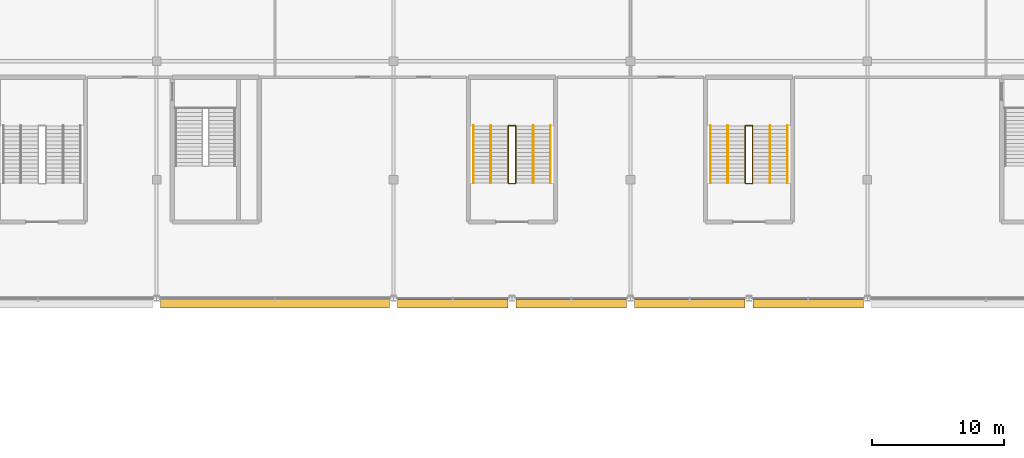
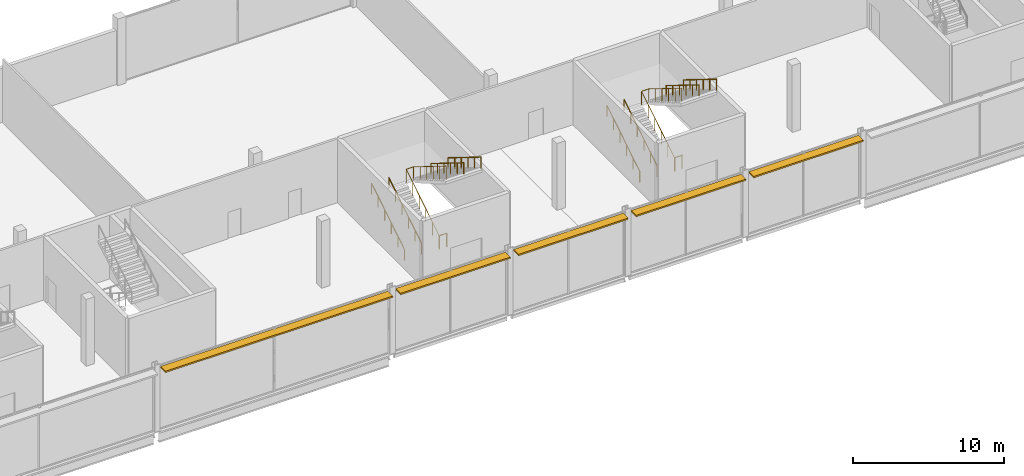
# One storey, part 103 of 111: 12 railings, 5 shading devices.
"""IFC4 building model written with IfcOpenShell, lengths in metres."""

from ifc_helpers import new_model, si_unit, direction, frame, origin, origin_2d, place, context, subcontext, project, spatial, rectangle, circle, extrude, material, type_object, element, save


model = new_model("IFC4")

# Units and contexts
model_context = context("Model", 3, precision=1e-05, world=origin(), true_north=direction((0.0, 1.0)))
body_context = subcontext(model_context, "Body", "Model", "MODEL_VIEW")
ifc_project = project(units=[si_unit("LENGTHUNIT", "METRE"), si_unit("AREAUNIT", "SQUARE_METRE"), si_unit("VOLUMEUNIT", "CUBIC_METRE"), si_unit("PLANEANGLEUNIT", "RADIAN"), si_unit("MASSUNIT", "GRAM", prefix="KILO")], contexts=[model_context])

# Site, building, storey
site_placement = place(None, origin())
site = spatial("IfcSite", under=ifc_project, at=site_placement, CompositionType="ELEMENT")
building_placement = place(site_placement, origin())
building = spatial("IfcBuilding", under=site, at=building_placement, Name="Kisiwana Market Hall", CompositionType="ELEMENT")
storey_placement = place(building_placement, frame((0.0, 0.0, 11.39990234375)))
storey = spatial("IfcBuildingStorey", under=building, at=storey_placement, Name="L02", CompositionType="ELEMENT", Elevation=11.39990234375)

# Railings
ifc_material_1 = material(Name="Steel S275", Category="steel")
railing_type_1 = type_object("IfcRailingType", Name="RL-GUARD-1100", PredefinedType="GUARDRAIL", material=ifc_material_1)
railing_1_placement = place(storey_placement, frame((89.719970703125, 92.760009765625, 0.0)))
element("IfcRailing", 1, at=railing_1_placement, inside=storey, type_object=railing_type_1, Name="Stair ST-N4-L02 inner-well guardrail (RL-609)", PredefinedType="GUARDRAIL", context=body_context, shape_type="SweptSolid", body=[
    extrude(circle(Radius=0.02392578125, at=origin_2d()), frame((0.0, 0.0, 1.076171875), z_axis=(0.0, 0.849628378081, 0.527381853271), x_axis=(-1.0, 0.0, 0.0)), (0.0, 0.0, 1.0), 5.1201171875),
    extrude(circle(Radius=0.02392578125, at=origin_2d()), frame((0.0, 4.35009765625, 3.7763671875), z_axis=(1.0, 0.0, 0.0), x_axis=(0.0, 1.0, 0.0)), (0.0, 0.0, 1.0), 0.56005859375),
    extrude(circle(Radius=0.02392578125, at=origin_2d()), frame((0.56005859375, 4.35009765625, 3.7763671875), z_axis=(0.0, -0.849649743971, 0.527347430608), x_axis=(1.0, 0.0, 0.0)), (0.0, 0.0, 1.0), 5.119873046875),
    extrude(circle(Radius=0.02099609375, at=origin_2d()), origin(), (0.0, 0.0, 1.0), 1.052001953125),
    extrude(circle(Radius=0.02099609375, at=origin_2d()), frame((0.0, 0.8701171875, 0.5400390625)), (0.0, 0.0, 1.0), 1.052001953125),
    extrude(circle(Radius=0.02099609375, at=origin_2d()), frame((0.0, 1.739990234375, 1.080078125)), (0.0, 0.0, 1.0), 1.052001953125),
    extrude(circle(Radius=0.02099609375, at=origin_2d()), frame((0.0, 2.610107421875, 1.6201171875)), (0.0, 0.0, 1.0), 1.052001953125),
    extrude(circle(Radius=0.02099609375, at=origin_2d()), frame((0.0, 3.47998046875, 2.16015625)), (0.0, 0.0, 1.0), 1.052001953125),
    extrude(circle(Radius=0.02099609375, at=origin_2d()), frame((0.0, 4.35009765625, 2.7001953125)), (0.0, 0.0, 1.0), 1.052001953125),
    extrude(circle(Radius=0.02099609375, at=origin_2d()), frame((0.56005859375, 4.35009765625, 2.7001953125)), (0.0, 0.0, 1.0), 1.052001953125),
    extrude(circle(Radius=0.02099609375, at=origin_2d()), frame((0.56005859375, 3.47998046875, 3.240234375)), (0.0, 0.0, 1.0), 1.052001953125),
    extrude(circle(Radius=0.02099609375, at=origin_2d()), frame((0.56005859375, 2.610107421875, 3.7802734375)), (0.0, 0.0, 1.0), 1.052001953125),
    extrude(circle(Radius=0.02099609375, at=origin_2d()), frame((0.56005859375, 1.739990234375, 4.320068359375)), (0.0, 0.0, 1.0), 1.052001953125),
    extrude(circle(Radius=0.02099609375, at=origin_2d()), frame((0.56005859375, 0.8701171875, 4.860107421875)), (0.0, 0.0, 1.0), 1.052001953125),
    extrude(circle(Radius=0.02099609375, at=origin_2d()), frame((0.56005859375, 0.0, 5.400146484375)), (0.0, 0.0, 1.0), 1.052001953125),
])
railing_2_placement = place(storey_placement, frame((89.719970703125, 92.7099609375, 0.0)))
element("IfcRailing", 2, at=railing_2_placement, inside=storey, type_object=railing_type_1, Name="Stair ST-N4-L02 landing edge guardrail (RL-614)", PredefinedType="GUARDRAIL", context=body_context, shape_type="SweptSolid", body=[
    extrude(circle(Radius=0.02392578125, at=origin_2d()), frame((0.0, 0.0, 1.076171875), z_axis=(1.0, 0.0, 0.0), x_axis=(0.0, 1.0, 0.0)), (0.0, 0.0, 1.0), 0.56005859375),
    extrude(circle(Radius=0.02099609375, at=origin_2d()), origin(), (0.0, 0.0, 1.0), 1.052001953125),
    extrude(circle(Radius=0.02099609375, at=origin_2d()), frame((0.56005859375, 0.0, 0.0)), (0.0, 0.0, 1.0), 1.052001953125),
])
railing_3_placement = place(storey_placement, frame((107.719970703125, 92.760009765625, 0.0)))
element("IfcRailing", 3, at=railing_3_placement, inside=storey, type_object=railing_type_1, Name="Stair ST-N5-L02 inner-well guardrail (RL-621)", PredefinedType="GUARDRAIL", context=body_context, shape_type="SweptSolid", body=[
    extrude(circle(Radius=0.02392578125, at=origin_2d()), frame((0.0, 0.0, 1.076171875), z_axis=(0.0, 0.849628378081, 0.527381853271), x_axis=(-1.0, 0.0, 0.0)), (0.0, 0.0, 1.0), 5.1201171875),
    extrude(circle(Radius=0.02392578125, at=origin_2d()), frame((0.0, 4.35009765625, 3.7763671875), z_axis=(1.0, 0.0, 0.0), x_axis=(0.0, 1.0, 0.0)), (0.0, 0.0, 1.0), 0.56005859375),
    extrude(circle(Radius=0.02392578125, at=origin_2d()), frame((0.56005859375, 4.35009765625, 3.7763671875), z_axis=(0.0, -0.849649743971, 0.527347430608), x_axis=(1.0, 0.0, 0.0)), (0.0, 0.0, 1.0), 5.119873046875),
    extrude(circle(Radius=0.02099609375, at=origin_2d()), origin(), (0.0, 0.0, 1.0), 1.052001953125),
    extrude(circle(Radius=0.02099609375, at=origin_2d()), frame((0.0, 0.8701171875, 0.5400390625)), (0.0, 0.0, 1.0), 1.052001953125),
    extrude(circle(Radius=0.02099609375, at=origin_2d()), frame((0.0, 1.739990234375, 1.080078125)), (0.0, 0.0, 1.0), 1.052001953125),
    extrude(circle(Radius=0.02099609375, at=origin_2d()), frame((0.0, 2.610107421875, 1.6201171875)), (0.0, 0.0, 1.0), 1.052001953125),
    extrude(circle(Radius=0.02099609375, at=origin_2d()), frame((0.0, 3.47998046875, 2.16015625)), (0.0, 0.0, 1.0), 1.052001953125),
    extrude(circle(Radius=0.02099609375, at=origin_2d()), frame((0.0, 4.35009765625, 2.7001953125)), (0.0, 0.0, 1.0), 1.052001953125),
    extrude(circle(Radius=0.02099609375, at=origin_2d()), frame((0.56005859375, 4.35009765625, 2.7001953125)), (0.0, 0.0, 1.0), 1.052001953125),
    extrude(circle(Radius=0.02099609375, at=origin_2d()), frame((0.56005859375, 3.47998046875, 3.240234375)), (0.0, 0.0, 1.0), 1.052001953125),
    extrude(circle(Radius=0.02099609375, at=origin_2d()), frame((0.56005859375, 2.610107421875, 3.7802734375)), (0.0, 0.0, 1.0), 1.052001953125),
    extrude(circle(Radius=0.02099609375, at=origin_2d()), frame((0.56005859375, 1.739990234375, 4.320068359375)), (0.0, 0.0, 1.0), 1.052001953125),
    extrude(circle(Radius=0.02099609375, at=origin_2d()), frame((0.56005859375, 0.8701171875, 4.860107421875)), (0.0, 0.0, 1.0), 1.052001953125),
    extrude(circle(Radius=0.02099609375, at=origin_2d()), frame((0.56005859375, 0.0, 5.400146484375)), (0.0, 0.0, 1.0), 1.052001953125),
])
railing_4_placement = place(storey_placement, frame((107.719970703125, 92.7099609375, 0.0)))
element("IfcRailing", 4, at=railing_4_placement, inside=storey, type_object=railing_type_1, Name="Stair ST-N5-L02 landing edge guardrail (RL-626)", PredefinedType="GUARDRAIL", context=body_context, shape_type="SweptSolid", body=[
    extrude(circle(Radius=0.02392578125, at=origin_2d()), frame((0.0, 0.0, 1.076171875), z_axis=(1.0, 0.0, 0.0), x_axis=(0.0, 1.0, 0.0)), (0.0, 0.0, 1.0), 0.56005859375),
    extrude(circle(Radius=0.02099609375, at=origin_2d()), origin(), (0.0, 0.0, 1.0), 1.052001953125),
    extrude(circle(Radius=0.02099609375, at=origin_2d()), frame((0.56005859375, 0.0, 0.0)), (0.0, 0.0, 1.0), 1.052001953125),
])
ifc_material_2 = material(Name="Steel S275", Category="steel")
railing_type_2 = type_object("IfcRailingType", Name="RL-HAND-900", PredefinedType="HANDRAIL", material=ifc_material_2)
railing_5_placement = place(storey_placement, frame((87.070068359375, 92.760009765625, 0.0)))
element("IfcRailing", 5, at=railing_5_placement, inside=storey, type_object=railing_type_2, Name="Stair ST-N4-L02 flight 1 handrail (RL-610)", PredefinedType="HANDRAIL", context=body_context, shape_type="SweptSolid", body=[
    extrude(circle(Radius=0.02392578125, at=origin_2d()), frame((0.0, 0.0, 0.8759765625), z_axis=(0.0, 0.849628378081, 0.527381853271), x_axis=(-1.0, 0.0, 0.0)), (0.0, 0.0, 1.0), 5.1201171875),
    extrude(circle(Radius=0.02099609375, at=origin_2d()), origin(), (0.0, 0.0, 1.0), 0.851806640625),
    extrude(circle(Radius=0.02099609375, at=origin_2d()), frame((0.0, 0.8701171875, 0.5400390625)), (0.0, 0.0, 1.0), 0.851806640625),
    extrude(circle(Radius=0.02099609375, at=origin_2d()), frame((0.0, 1.739990234375, 1.080078125)), (0.0, 0.0, 1.0), 0.851806640625),
    extrude(circle(Radius=0.02099609375, at=origin_2d()), frame((0.0, 2.610107421875, 1.6201171875)), (0.0, 0.0, 1.0), 0.851806640625),
    extrude(circle(Radius=0.02099609375, at=origin_2d()), frame((0.0, 3.47998046875, 2.16015625)), (0.0, 0.0, 1.0), 0.851806640625),
    extrude(circle(Radius=0.02099609375, at=origin_2d()), frame((0.0, 4.35009765625, 2.7001953125)), (0.0, 0.0, 1.0), 0.851806640625),
])
railing_6_placement = place(storey_placement, frame((92.929931640625, 97.110107421875, 2.7001953125)))
element("IfcRailing", 6, at=railing_6_placement, inside=storey, type_object=railing_type_2, Name="Stair ST-N4-L02 flight 2 handrail (RL-611)", PredefinedType="HANDRAIL", context=body_context, shape_type="SweptSolid", body=[
    extrude(circle(Radius=0.02392578125, at=origin_2d()), frame((0.0, 0.0, 0.8759765625), z_axis=(0.0, -0.849649743971, 0.527347430608), x_axis=(1.0, 0.0, 0.0)), (0.0, 0.0, 1.0), 5.119873046875),
    extrude(circle(Radius=0.02099609375, at=origin_2d()), origin(), (0.0, 0.0, 1.0), 0.851806640625),
    extrude(circle(Radius=0.02099609375, at=origin_2d()), frame((0.0, -0.8701171875, 0.5400390625)), (0.0, 0.0, 1.0), 0.851806640625),
    extrude(circle(Radius=0.02099609375, at=origin_2d()), frame((0.0, -1.739990234375, 1.080078125)), (0.0, 0.0, 1.0), 0.851806640625),
    extrude(circle(Radius=0.02099609375, at=origin_2d()), frame((0.0, -2.610107421875, 1.619873046875)), (0.0, 0.0, 1.0), 0.851806640625),
    extrude(circle(Radius=0.02099609375, at=origin_2d()), frame((0.0, -3.47998046875, 2.159912109375)), (0.0, 0.0, 1.0), 0.851806640625),
    extrude(circle(Radius=0.02099609375, at=origin_2d()), frame((0.0, -4.35009765625, 2.699951171875)), (0.0, 0.0, 1.0), 0.851806640625),
])
railing_7_placement = place(storey_placement, frame((88.389892578125, 92.760009765625, 0.0)))
element("IfcRailing", 7, at=railing_7_placement, inside=storey, type_object=railing_type_2, Name="Stair ST-N4-L02 flight 1 intermediate handrail (RL-612)", PredefinedType="HANDRAIL", context=body_context, shape_type="SweptSolid", body=[
    extrude(circle(Radius=0.02392578125, at=origin_2d()), frame((0.0, 0.0, 0.8759765625), z_axis=(0.0, 0.849628378081, 0.527381853271), x_axis=(-1.0, 0.0, 0.0)), (0.0, 0.0, 1.0), 5.1201171875),
    extrude(circle(Radius=0.02099609375, at=origin_2d()), origin(), (0.0, 0.0, 1.0), 0.851806640625),
    extrude(circle(Radius=0.02099609375, at=origin_2d()), frame((0.0, 0.8701171875, 0.5400390625)), (0.0, 0.0, 1.0), 0.851806640625),
    extrude(circle(Radius=0.02099609375, at=origin_2d()), frame((0.0, 1.739990234375, 1.080078125)), (0.0, 0.0, 1.0), 0.851806640625),
    extrude(circle(Radius=0.02099609375, at=origin_2d()), frame((0.0, 2.610107421875, 1.6201171875)), (0.0, 0.0, 1.0), 0.851806640625),
    extrude(circle(Radius=0.02099609375, at=origin_2d()), frame((0.0, 3.47998046875, 2.16015625)), (0.0, 0.0, 1.0), 0.851806640625),
    extrude(circle(Radius=0.02099609375, at=origin_2d()), frame((0.0, 4.35009765625, 2.7001953125)), (0.0, 0.0, 1.0), 0.851806640625),
])
railing_8_placement = place(storey_placement, frame((91.610107421875, 97.110107421875, 2.7001953125)))
element("IfcRailing", 8, at=railing_8_placement, inside=storey, type_object=railing_type_2, Name="Stair ST-N4-L02 flight 2 intermediate handrail (RL-613)", PredefinedType="HANDRAIL", context=body_context, shape_type="SweptSolid", body=[
    extrude(circle(Radius=0.02392578125, at=origin_2d()), frame((0.0, 0.0, 0.8759765625), z_axis=(0.0, -0.849649743971, 0.527347430608), x_axis=(1.0, 0.0, 0.0)), (0.0, 0.0, 1.0), 5.119873046875),
    extrude(circle(Radius=0.02099609375, at=origin_2d()), origin(), (0.0, 0.0, 1.0), 0.851806640625),
    extrude(circle(Radius=0.02099609375, at=origin_2d()), frame((0.0, -0.8701171875, 0.5400390625)), (0.0, 0.0, 1.0), 0.851806640625),
    extrude(circle(Radius=0.02099609375, at=origin_2d()), frame((0.0, -1.739990234375, 1.080078125)), (0.0, 0.0, 1.0), 0.851806640625),
    extrude(circle(Radius=0.02099609375, at=origin_2d()), frame((0.0, -2.610107421875, 1.619873046875)), (0.0, 0.0, 1.0), 0.851806640625),
    extrude(circle(Radius=0.02099609375, at=origin_2d()), frame((0.0, -3.47998046875, 2.159912109375)), (0.0, 0.0, 1.0), 0.851806640625),
    extrude(circle(Radius=0.02099609375, at=origin_2d()), frame((0.0, -4.35009765625, 2.699951171875)), (0.0, 0.0, 1.0), 0.851806640625),
])
railing_9_placement = place(storey_placement, frame((105.070068359375, 92.760009765625, 0.0)))
element("IfcRailing", 9, at=railing_9_placement, inside=storey, type_object=railing_type_2, Name="Stair ST-N5-L02 flight 1 handrail (RL-622)", PredefinedType="HANDRAIL", context=body_context, shape_type="SweptSolid", body=[
    extrude(circle(Radius=0.02392578125, at=origin_2d()), frame((0.0, 0.0, 0.8759765625), z_axis=(0.0, 0.849628378081, 0.527381853271), x_axis=(-1.0, 0.0, 0.0)), (0.0, 0.0, 1.0), 5.1201171875),
    extrude(circle(Radius=0.02099609375, at=origin_2d()), origin(), (0.0, 0.0, 1.0), 0.851806640625),
    extrude(circle(Radius=0.02099609375, at=origin_2d()), frame((0.0, 0.8701171875, 0.5400390625)), (0.0, 0.0, 1.0), 0.851806640625),
    extrude(circle(Radius=0.02099609375, at=origin_2d()), frame((0.0, 1.739990234375, 1.080078125)), (0.0, 0.0, 1.0), 0.851806640625),
    extrude(circle(Radius=0.02099609375, at=origin_2d()), frame((0.0, 2.610107421875, 1.6201171875)), (0.0, 0.0, 1.0), 0.851806640625),
    extrude(circle(Radius=0.02099609375, at=origin_2d()), frame((0.0, 3.47998046875, 2.16015625)), (0.0, 0.0, 1.0), 0.851806640625),
    extrude(circle(Radius=0.02099609375, at=origin_2d()), frame((0.0, 4.35009765625, 2.7001953125)), (0.0, 0.0, 1.0), 0.851806640625),
])
railing_10_placement = place(storey_placement, frame((110.929931640625, 97.110107421875, 2.7001953125)))
element("IfcRailing", 10, at=railing_10_placement, inside=storey, type_object=railing_type_2, Name="Stair ST-N5-L02 flight 2 handrail (RL-623)", PredefinedType="HANDRAIL", context=body_context, shape_type="SweptSolid", body=[
    extrude(circle(Radius=0.02392578125, at=origin_2d()), frame((0.0, 0.0, 0.8759765625), z_axis=(0.0, -0.849649743971, 0.527347430608), x_axis=(1.0, 0.0, 0.0)), (0.0, 0.0, 1.0), 5.119873046875),
    extrude(circle(Radius=0.02099609375, at=origin_2d()), origin(), (0.0, 0.0, 1.0), 0.851806640625),
    extrude(circle(Radius=0.02099609375, at=origin_2d()), frame((0.0, -0.8701171875, 0.5400390625)), (0.0, 0.0, 1.0), 0.851806640625),
    extrude(circle(Radius=0.02099609375, at=origin_2d()), frame((0.0, -1.739990234375, 1.080078125)), (0.0, 0.0, 1.0), 0.851806640625),
    extrude(circle(Radius=0.02099609375, at=origin_2d()), frame((0.0, -2.610107421875, 1.619873046875)), (0.0, 0.0, 1.0), 0.851806640625),
    extrude(circle(Radius=0.02099609375, at=origin_2d()), frame((0.0, -3.47998046875, 2.159912109375)), (0.0, 0.0, 1.0), 0.851806640625),
    extrude(circle(Radius=0.02099609375, at=origin_2d()), frame((0.0, -4.35009765625, 2.699951171875)), (0.0, 0.0, 1.0), 0.851806640625),
])
railing_11_placement = place(storey_placement, frame((106.389892578125, 92.760009765625, 0.0)))
element("IfcRailing", 11, at=railing_11_placement, inside=storey, type_object=railing_type_2, Name="Stair ST-N5-L02 flight 1 intermediate handrail (RL-624)", PredefinedType="HANDRAIL", context=body_context, shape_type="SweptSolid", body=[
    extrude(circle(Radius=0.02392578125, at=origin_2d()), frame((0.0, 0.0, 0.8759765625), z_axis=(0.0, 0.849628378081, 0.527381853271), x_axis=(-1.0, 0.0, 0.0)), (0.0, 0.0, 1.0), 5.1201171875),
    extrude(circle(Radius=0.02099609375, at=origin_2d()), origin(), (0.0, 0.0, 1.0), 0.851806640625),
    extrude(circle(Radius=0.02099609375, at=origin_2d()), frame((0.0, 0.8701171875, 0.5400390625)), (0.0, 0.0, 1.0), 0.851806640625),
    extrude(circle(Radius=0.02099609375, at=origin_2d()), frame((0.0, 1.739990234375, 1.080078125)), (0.0, 0.0, 1.0), 0.851806640625),
    extrude(circle(Radius=0.02099609375, at=origin_2d()), frame((0.0, 2.610107421875, 1.6201171875)), (0.0, 0.0, 1.0), 0.851806640625),
    extrude(circle(Radius=0.02099609375, at=origin_2d()), frame((0.0, 3.47998046875, 2.16015625)), (0.0, 0.0, 1.0), 0.851806640625),
    extrude(circle(Radius=0.02099609375, at=origin_2d()), frame((0.0, 4.35009765625, 2.7001953125)), (0.0, 0.0, 1.0), 0.851806640625),
])
railing_12_placement = place(storey_placement, frame((109.610107421875, 97.110107421875, 2.7001953125)))
element("IfcRailing", 12, at=railing_12_placement, inside=storey, type_object=railing_type_2, Name="Stair ST-N5-L02 flight 2 intermediate handrail (RL-625)", PredefinedType="HANDRAIL", context=body_context, shape_type="SweptSolid", body=[
    extrude(circle(Radius=0.02392578125, at=origin_2d()), frame((0.0, 0.0, 0.8759765625), z_axis=(0.0, -0.849649743971, 0.527347430608), x_axis=(1.0, 0.0, 0.0)), (0.0, 0.0, 1.0), 5.119873046875),
    extrude(circle(Radius=0.02099609375, at=origin_2d()), origin(), (0.0, 0.0, 1.0), 0.851806640625),
    extrude(circle(Radius=0.02099609375, at=origin_2d()), frame((0.0, -0.8701171875, 0.5400390625)), (0.0, 0.0, 1.0), 0.851806640625),
    extrude(circle(Radius=0.02099609375, at=origin_2d()), frame((0.0, -1.739990234375, 1.080078125)), (0.0, 0.0, 1.0), 0.851806640625),
    extrude(circle(Radius=0.02099609375, at=origin_2d()), frame((0.0, -2.610107421875, 1.619873046875)), (0.0, 0.0, 1.0), 0.851806640625),
    extrude(circle(Radius=0.02099609375, at=origin_2d()), frame((0.0, -3.47998046875, 2.159912109375)), (0.0, 0.0, 1.0), 0.851806640625),
    extrude(circle(Radius=0.02099609375, at=origin_2d()), frame((0.0, -4.35009765625, 2.699951171875)), (0.0, 0.0, 1.0), 0.851806640625),
])

# Shading devices
ifc_material_3 = material(Name="Aluminium alloy 6063-T6", Category="aluminium")
shading_device_type = type_object("IfcShadingDeviceType", Name="SHD-JALOUSIE-H", PredefinedType="JALOUSIE", material=ifc_material_3)
shading_device_placement = place(storey_placement, frame((72.0, 83.580078125, 4.969970703125), z_axis=(0.0, 0.0, 1.0), x_axis=(1.0, 0.0, 0.0)))
element("IfcShadingDevice", 13, at=shading_device_placement, inside=storey, type_object=shading_device_type, Name="Aluminium brise-soleil louvre SHD-050 SD-050", PredefinedType="JALOUSIE", context=body_context, shape_type="SweptSolid", body=[
    extrude(rectangle(XDim=17.387939453125, YDim=0.64990234375, at=origin_2d()), origin(), (0.0, 0.0, 1.0), 0.1201171875),
])
for number, where, z_axis, x_axis, name in (
    (14, (85.5, 83.580078125, 4.969970703125), (0.0, 0.0, 1.0), (1.0, 0.0, 0.0), "Aluminium brise-soleil louvre SHD-051 SD-051"),
    (15, (94.5, 83.580078125, 4.969970703125), (0.0, 0.0, 1.0), (1.0, 0.0, 0.0), "Aluminium brise-soleil louvre SHD-052 SD-052"),
    (16, (103.5, 83.580078125, 4.969970703125), (0.0, 0.0, 1.0), (1.0, 0.0, 0.0), "Aluminium brise-soleil louvre SHD-053 SD-053"),
    (17, (112.5, 83.580078125, 4.969970703125), (0.0, 0.0, 1.0), (1.0, 0.0, 0.0), "Aluminium brise-soleil louvre SHD-054 SD-054"),
):
    element("IfcShadingDevice", number, at=place(storey_placement, frame(where, z_axis=z_axis, x_axis=x_axis)), inside=storey, type_object=shading_device_type, Name=name, PredefinedType="JALOUSIE", context=body_context, shape_type="SweptSolid", body=[
        extrude(rectangle(XDim=8.387939453125, YDim=0.64990234375, at=origin_2d()), origin(), (0.0, 0.0, 1.0), 0.1201171875),
    ])

save(model, "model.ifc")
